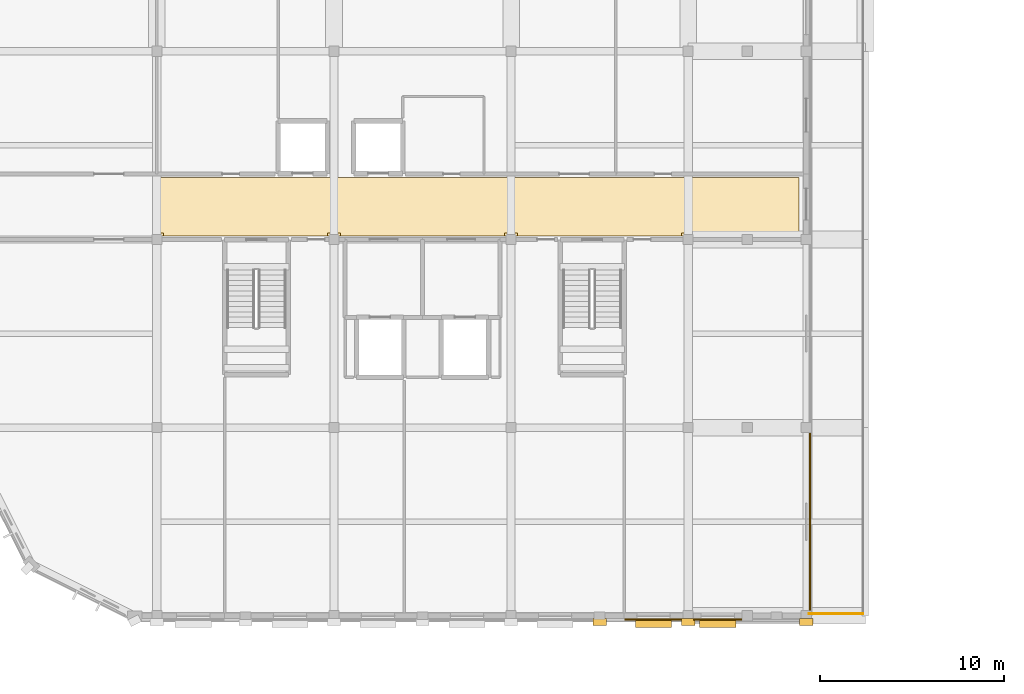
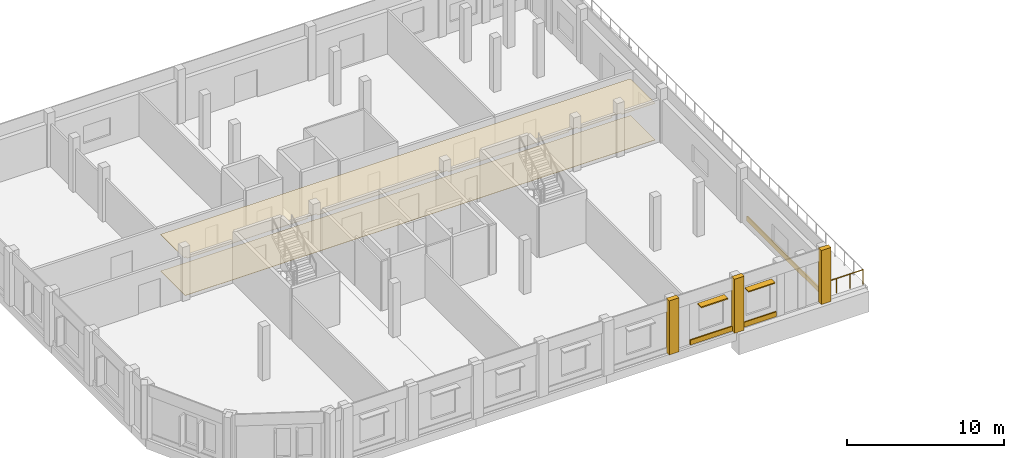
# One storey, part 67 of 70: 8 coverings, 2 shading devices, 1 railing.
"""IFC4 building model written with IfcOpenShell, lengths in metres."""

import ifcopenshell
import ifcopenshell.guid

model = None  # the IFC model being written
_history = None  # IfcOwnerHistory: only IFC2X3 demands one
_inside = {}  # id of a spatial element -> (the spatial element, [elements in it])
_under = {}  # id of a project, library or spatial element -> (it, [spatial elements below it])
_declared = {}  # id of a project -> (the project, [libraries it declares])
_typed = {}  # id of a type object -> (the type object, [elements of that type])
_made_of = {}  # id of a material, layer set ... -> (it, [elements and type objects made of it])


def new_model(schema):
    """Start an empty IFC model of exactly this schema.

    Asked for "IFC4X3", IfcOpenShell would pick the latest addendum, in which some entities
    have other attributes; the version numbers below select the first issue.
    IFC2X3 requires an IfcOwnerHistory on every rooted entity: one is made here for all.
    """
    global model, _history
    if schema == "IFC4X3":
        model = ifcopenshell.file(schema_version=(4, 3, 0, 0))
    else:
        model = ifcopenshell.file(schema=schema)
    _inside.clear()
    _under.clear()
    _declared.clear()
    _typed.clear()
    _made_of.clear()
    _history = None
    if model.schema == "IFC2X3":
        org = make("IfcOrganization", Name="unknown")
        user = make(
            "IfcPersonAndOrganization",
            ThePerson=make("IfcPerson", FamilyName="unknown"),
            TheOrganization=org,
        )
        app = make(
            "IfcApplication",
            ApplicationDeveloper=org,
            Version="unknown",
            ApplicationFullName="unknown",
            ApplicationIdentifier="unknown",
        )
        _history = make(
            "IfcOwnerHistory",
            OwningUser=user,
            OwningApplication=app,
            ChangeAction="ADDED",
            CreationDate=0,
        )
    return model


def make(cls, **values):
    """One entity of the class cls with the attributes given. An attribute that is None is left unset."""
    return model.create_entity(
        cls, **{name: value for name, value in values.items() if value is not None}
    )


def rooted(cls, **values):
    """An entity with a GlobalId (a new one), such as an element, a storey or a relation."""
    return make(cls, GlobalId=ifcopenshell.guid.new(), OwnerHistory=_history, **values)


def si_unit(unit_type, name, prefix=None):
    """IfcSIUnit, for example si_unit("LENGTHUNIT", "METRE", prefix="MILLI")."""
    return make("IfcSIUnit", UnitType=unit_type, Prefix=prefix, Name=name)


def assignment(units):
    """IfcUnitAssignment: the units of a project."""
    return None if units is None else make("IfcUnitAssignment", Units=units)


def point(xyz):
    """IfcCartesianPoint."""
    return None if xyz is None else make("IfcCartesianPoint", Coordinates=xyz)


def direction(xyz):
    """IfcDirection."""
    return None if xyz is None else make("IfcDirection", DirectionRatios=xyz)


def frame(location, z_axis=None, x_axis=None):
    """IfcAxis2Placement3D, a coordinate frame: its origin and axes. An axis left out is left unset."""
    return make(
        "IfcAxis2Placement3D",
        Location=point(location),
        Axis=direction(z_axis),
        RefDirection=direction(x_axis),
    )


def frame_2d(location, x_axis=None):
    """IfcAxis2Placement2D, a coordinate frame in the plane: its origin and x axis."""
    return make(
        "IfcAxis2Placement2D", Location=point(location), RefDirection=direction(x_axis)
    )


def origin():
    """The frame at (0, 0, 0) with its axes left unset."""
    return frame((0.0, 0.0, 0.0))


def origin_2d():
    """The frame at (0, 0) in the plane with its x axis left unset."""
    return frame_2d((0.0, 0.0))


def place(relative_to, where):
    """IfcLocalPlacement: puts the frame where relative to a parent placement (None: the world)."""
    return make(
        "IfcLocalPlacement", PlacementRelTo=relative_to, RelativePlacement=where
    )


def context(
    kind, dimensions, precision=None, world=None, true_north=None, identifier=None
):
    """IfcGeometricRepresentationContext, for example the 3D "Model" context."""
    return make(
        "IfcGeometricRepresentationContext",
        ContextIdentifier=identifier,
        ContextType=kind,
        CoordinateSpaceDimension=dimensions,
        Precision=precision,
        WorldCoordinateSystem=world,
        TrueNorth=true_north,
    )


def subcontext(parent, identifier, kind, view, scale=None):
    """IfcGeometricRepresentationSubContext, for example "Body" below "Model"."""
    return make(
        "IfcGeometricRepresentationSubContext",
        ContextIdentifier=identifier,
        ContextType=kind,
        ParentContext=parent,
        TargetScale=scale,
        TargetView=view,
    )


def project(units=None, contexts=None):
    """IfcProject with its units and contexts."""
    return rooted(
        "IfcProject",
        Name="project",
        RepresentationContexts=contexts,
        UnitsInContext=assignment(units),
    )


def spatial(cls, under=None, at=None, **own):
    """A site, building, storey or space (cls), placed at a placement, below another one or the project."""
    s = rooted(cls, ObjectPlacement=at, **own)
    if under is not None:
        _under.setdefault(under.id(), (under, []))[1].append(s)
    return s


def polyline(points):
    """IfcPolyline through the points."""
    return make("IfcPolyline", Points=[point(p) for p in points])


def profile(cls, at=None, kind="AREA", **sizes):
    """A parametric profile (cls). Its sizes go by their IFC names, for example OverallWidth=200.0."""
    return make(cls, ProfileType=kind, Position=at, **sizes)


def rectangle(**sizes):
    """IfcRectangleProfileDef."""
    return profile("IfcRectangleProfileDef", **sizes)


def circle(**sizes):
    """IfcCircleProfileDef."""
    return profile("IfcCircleProfileDef", **sizes)


def outline(outer, holes=None, kind="AREA"):
    """IfcArbitraryClosedProfileDef: a profile drawn as a closed curve; with holes, ...WithVoids."""
    if holes is None:
        return make("IfcArbitraryClosedProfileDef", ProfileType=kind, OuterCurve=outer)
    return make(
        "IfcArbitraryProfileDefWithVoids",
        ProfileType=kind,
        OuterCurve=outer,
        InnerCurves=holes,
    )


def extrude(swept, where, along, depth):
    """IfcExtrudedAreaSolid: the profile swept, set in the frame where, extruded along a direction by depth."""
    return make(
        "IfcExtrudedAreaSolid",
        SweptArea=swept,
        Position=where,
        ExtrudedDirection=direction(along),
        Depth=depth,
    )


def shape(context_of_items, identifier, shape_type, items):
    """IfcShapeRepresentation: the items that make up one representation, for example the "Body"."""
    return make(
        "IfcShapeRepresentation",
        ContextOfItems=context_of_items,
        RepresentationIdentifier=identifier,
        RepresentationType=shape_type,
        Items=items,
    )


def material(Name=None, Category=None):
    """IfcMaterial."""
    return make("IfcMaterial", Name=Name, Category=Category)


def layer(
    of_material, thickness, ventilated=None, Name=None, Category=None, Priority=None
):
    """IfcMaterialLayer: one layer of a wall or slab, of a material (None: an air gap)."""
    return make(
        "IfcMaterialLayer",
        Material=of_material,
        LayerThickness=thickness,
        IsVentilated=ventilated,
        Name=Name,
        Category=Category,
        Priority=Priority,
    )


def layer_set(layers, Name=None):
    """IfcMaterialLayerSet."""
    return make("IfcMaterialLayerSet", MaterialLayers=layers, LayerSetName=Name)


def made_of(thing, what):
    """Note that an element or type object is made of a material, layer set ...; save() writes the relation."""
    if what is not None:
        _made_of.setdefault(what.id(), (what, []))[1].append(thing)
    return thing


def type_object(cls, material=None, **own):
    """A type object (cls), such as IfcWallType, which elements share."""
    return made_of(rooted(cls, **own), material)


def element(
    cls,
    number,
    at=None,
    inside=None,
    cuts=None,
    type_object=None,
    material=None,
    context=None,
    identifier="Body",
    shape_type=None,
    held_by="IfcProductDefinitionShape",
    body=None,
    shapes=None,
    **own,
):
    """One element of the class cls, such as IfcWall. Its Tag is "e" and its number.

    at: its placement. inside: the storey or other place that contains it. cuts: it is an
    opening in that element (IfcRelVoidsElement). A single representation is given by context,
    identifier, shape_type and body (its items); several are given by shapes. held_by: the class
    of the entity that holds the representations. save() writes the other relations.
    """
    e = rooted(cls, Tag="e%d" % number, ObjectPlacement=at, **own)
    if body is not None:
        shapes = [shape(context, identifier, shape_type, body)]
    if shapes is not None:
        e.Representation = make(held_by, Representations=shapes)
    if inside is not None:
        _inside.setdefault(inside.id(), (inside, []))[1].append(e)
    if cuts is not None:
        rooted(
            "IfcRelVoidsElement", RelatingBuildingElement=cuts, RelatedOpeningElement=e
        )
    if type_object is not None:
        _typed.setdefault(type_object.id(), (type_object, []))[1].append(e)
    return made_of(e, material)


def aggregate(whole, parts):
    """IfcRelAggregates: a whole, such as a stair, and the parts it consists of."""
    return rooted("IfcRelAggregates", RelatingObject=whole, RelatedObjects=parts)


def save(model, path):
    """Write the relations noted so far, then the file.

    IfcRelAggregates (storeys below a building ...), IfcRelContainedInSpatialStructure (elements
    in a storey), IfcRelDefinesByType, IfcRelAssociatesMaterial and IfcRelDeclares: one each for
    every whole, place, type object, material and project.
    """
    for whole, parts in _under.values():
        aggregate(whole, parts)
    for where, things in _inside.values():
        rooted(
            "IfcRelContainedInSpatialStructure",
            RelatedElements=things,
            RelatingStructure=where,
        )
    for kind, things in _typed.values():
        rooted("IfcRelDefinesByType", RelatedObjects=things, RelatingType=kind)
    for what, things in _made_of.values():
        rooted("IfcRelAssociatesMaterial", RelatedObjects=things, RelatingMaterial=what)
    for by, libraries in _declared.values():
        rooted("IfcRelDeclares", RelatingContext=by, RelatedDefinitions=libraries)
    model.write(path)


model = new_model("IFC4")

# Units and contexts
model_context = context("Model", 3, precision=1e-05, world=origin(), true_north=direction((0.0, 1.0)))
body_context = subcontext(model_context, "Body", "Model", "MODEL_VIEW")
ifc_project = project(units=[si_unit("LENGTHUNIT", "METRE"), si_unit("AREAUNIT", "SQUARE_METRE"), si_unit("VOLUMEUNIT", "CUBIC_METRE"), si_unit("PLANEANGLEUNIT", "RADIAN"), si_unit("MASSUNIT", "GRAM", prefix="KILO")], contexts=[model_context])

# Site, building, storey
site_placement = place(None, origin())
site = spatial("IfcSite", under=ifc_project, at=site_placement, CompositionType="ELEMENT")
building_placement = place(site_placement, origin())
building = spatial("IfcBuilding", under=site, at=building_placement, Name="Vondelvale Polytechnic", CompositionType="ELEMENT")
storey_placement = place(building_placement, frame((0.0, 0.0, 22.199951171875)))
storey = spatial("IfcBuildingStorey", under=building, at=storey_placement, Name="L05", CompositionType="ELEMENT", Elevation=22.199951171875)

# Coverings
ifc_material_1 = material(Name="Amsterdam School iron-spot clinker clay brickwork", Category="masonry")
ifc_layer_1 = layer(ifc_material_1, 0.090087890625)
ifc_layer_set_1 = layer_set([ifc_layer_1], Name="COV-BRICK-RELIEF")
covering_type_1 = type_object("IfcCoveringType", Name="COV-BRICK-RELIEF", PredefinedType="CLADDING", material=ifc_layer_set_1)
covering_1_placement = place(storey_placement, frame((36.5244140625, -0.200927734375, 0.0), z_axis=(0.0, 0.0, 1.0), x_axis=(-1.0, 0.0, 0.0)))
element("IfcCovering", 1, at=covering_1_placement, inside=storey, type_object=covering_type_1, Name="L05 exterior corbelled masonry relief band", PredefinedType="CLADDING", context=body_context, shape_type="SweptSolid", body=[
    extrude(rectangle(XDim=3.138916015625, YDim=0.090087890625, at=origin_2d()), origin(), (0.0, 0.0, 1.0), 0.3798828125),
])
covering_2_placement = place(storey_placement, frame((40.0, -0.200927734375, 0.0), z_axis=(0.0, 0.0, 1.0), x_axis=(-1.0, 0.0, 0.0)))
element("IfcCovering", 2, at=covering_2_placement, inside=storey, type_object=covering_type_1, Name="L05 exterior corbelled masonry relief band", PredefinedType="CLADDING", context=body_context, shape_type="SweptSolid", body=[
    extrude(rectangle(XDim=2.587890625, YDim=0.090087890625, at=origin_2d()), origin(), (0.0, 0.0, 1.0), 0.3798828125),
])
covering_3_placement = place(storey_placement, frame((45.0009765625, 5.10009765625, 0.0), z_axis=(0.0, 0.0, 1.0), x_axis=(0.0, -1.0, 0.0)))
element("IfcCovering", 3, at=covering_3_placement, inside=storey, type_object=covering_type_1, Name="L05 exterior corbelled masonry relief band", PredefinedType="CLADDING", context=body_context, shape_type="SweptSolid", body=[
    extrude(rectangle(XDim=9.587890625, YDim=0.090087890625, at=origin_2d()), origin(), (0.0, 0.0, 1.0), 0.3798828125),
])
for number, where, z_axis, x_axis, name in (
    (4, (33.60009765625, -0.340087890625, 0.0), (0.0, 0.0, 1.0), (1.0, 0.0, 0.0), "L05 Classical street pilaster"),
    (5, (38.39990234375, -0.340087890625, 0.0), (0.0, 0.0, 1.0), (1.0, 0.0, 0.0), "L05 Classical street pilaster"),
    (6, (44.800048828125, -0.340087890625, 0.0), (0.0, 0.0, 1.0), (1.0, 0.0, 0.0), "L05 Classical street pilaster"),
):
    element("IfcCovering", number, at=place(storey_placement, frame(where, z_axis=z_axis, x_axis=x_axis)), inside=storey, type_object=covering_type_1, Name=name, PredefinedType="CLADDING", context=body_context, shape_type="SweptSolid", body=[
        extrude(rectangle(XDim=0.719970703125, YDim=0.360107421875, at=origin_2d()), origin(), (0.0, 0.0, 1.0), 4.199951171875),
    ])
ifc_material_2 = material(Name="Perforated acoustic mineral-fibre and timber-batten ceiling", Category="wood")
ifc_layer_2 = layer(ifc_material_2, 0.030029296875)
ifc_layer_set_2 = layer_set([ifc_layer_2], Name="COV-CEIL-ACOUSTIC")
covering_type_2 = type_object("IfcCoveringType", Name="COV-CEIL-ACOUSTIC", PredefinedType="CEILING", material=ifc_layer_set_2)
covering_4_placement = place(storey_placement, frame((0.0, 0.0, 2.85009765625)))
element("IfcCovering", 7, at=covering_4_placement, inside=storey, type_object=covering_type_2, Name="L05 corridor acoustic baffle ceiling", PredefinedType="CEILING", context=body_context, shape_type="SweptSolid", body=[
    extrude(outline(polyline([(9.955078125, 20.60009765625), (9.955078125, 20.7548828125), (9.800048828125, 20.7548828125), (9.800048828125, 23.75), (44.39990234375, 23.75), (44.39990234375, 20.60009765625), (41.955078125, 20.60009765625), (41.955078125, 20.7548828125), (41.2451171875, 20.7548828125), (41.2451171875, 20.60009765625), (38.7548828125, 20.60009765625), (38.7548828125, 20.7548828125), (38.044921875, 20.7548828125), (38.044921875, 20.60009765625), (29.155029296875, 20.60009765625), (29.155029296875, 20.7548828125), (28.445068359375, 20.7548828125), (28.445068359375, 20.60009765625), (19.554931640625, 20.60009765625), (19.554931640625, 20.7548828125), (18.844970703125, 20.7548828125), (18.844970703125, 20.60009765625), (9.955078125, 20.60009765625)])), origin(), (0.0, 0.0, 1.0), 0.030029296875),
])
ifc_material_3 = material(Name="Engineered Tasmanian oak studio and bridge joinery")
ifc_layer_3 = layer(ifc_material_3, 0.02197265625)
ifc_layer_set_3 = layer_set([ifc_layer_3], Name="COV-FLOOR-OAK")
covering_type_3 = type_object("IfcCoveringType", Name="COV-FLOOR-OAK", PredefinedType="FLOORING", material=ifc_layer_set_3)
covering_5_placement = place(storey_placement, origin())
element("IfcCovering", 8, at=covering_5_placement, inside=storey, type_object=covering_type_3, Name="L05 architectural floor finish", PredefinedType="FLOORING", context=body_context, shape_type="SweptSolid", body=[
    extrude(outline(polyline([(9.800048828125, 20.60009765625), (44.39990234375, 20.60009765625), (44.39990234375, 23.75), (9.800048828125, 23.75), (9.800048828125, 20.60009765625)])), origin(), (0.0, 0.0, 1.0), 0.025146484375),
])

# Railing
ifc_material_4 = material(Name="Brushed architectural stainless and zinc-coated metal")
ifc_layer_4 = layer(ifc_material_4, 0.070068359375)
ifc_layer_set_4 = layer_set([ifc_layer_4], Name="RL-TERRACE-1150")
railing_type = type_object("IfcRailingType", Name="RL-TERRACE-1150", PredefinedType="BALUSTRADE", material=ifc_layer_set_4)
railing_placement = place(storey_placement, frame((44.949951171875, 0.1201171875, 0.0)))
element("IfcRailing", 9, at=railing_placement, inside=storey, type_object=railing_type, Name="L05 courtyard terrace guardrail", PredefinedType="BALUSTRADE", context=body_context, shape_type="SweptSolid", body=[
    extrude(circle(Radius=0.02392578125, at=origin_2d()), frame((0.0, 0.0, 1.1259765625), z_axis=(1.0, 0.0, 0.0), x_axis=(0.0, 1.0, 0.0)), (0.0, 0.0, 1.0), 2.929931640625),
    extrude(circle(Radius=0.02099609375, at=origin_2d()), origin(), (0.0, 0.0, 1.0), 1.101806640625),
    extrude(circle(Radius=0.02099609375, at=origin_2d()), frame((0.9765625, 0.0, 0.0)), (0.0, 0.0, 1.0), 1.101806640625),
    extrude(circle(Radius=0.02099609375, at=origin_2d()), frame((1.953369140625, 0.0, 0.0)), (0.0, 0.0, 1.0), 1.101806640625),
    extrude(circle(Radius=0.02099609375, at=origin_2d()), frame((2.929931640625, 0.0, 0.0)), (0.0, 0.0, 1.0), 1.101806640625),
])

# Shading devices
ifc_material_5 = material(Name="Anodised extruded aluminium 6063-T6", Category="aluminium")
shading_device_type = type_object("IfcShadingDeviceType", Name="SHD-BRONZE-LOUVRE", PredefinedType="SHUTTER", material=ifc_material_5)
for number, where, z_axis, x_axis, name in (
    (10, (36.5244140625, -0.385009765625, 2.907470703125), (0.0, 0.0, 1.0), (-1.0, 0.0, 0.0), "L05 horizontal bronze sun-louvre overhang"),
    (11, (40.0, -0.385009765625, 2.907470703125), (0.0, 0.0, 1.0), (-1.0, 0.0, 0.0), "L05 horizontal bronze sun-louvre overhang"),
):
    element("IfcShadingDevice", number, at=place(storey_placement, frame(where, z_axis=z_axis, x_axis=x_axis)), inside=storey, type_object=shading_device_type, Name=name, PredefinedType="SHUTTER", context=body_context, shape_type="SweptSolid", body=[
        extrude(rectangle(XDim=1.9599609375, YDim=0.47998046875, at=origin_2d()), origin(), (0.0, 0.0, 1.0), 0.0849609375),
    ])

save(model, "model.ifc")
